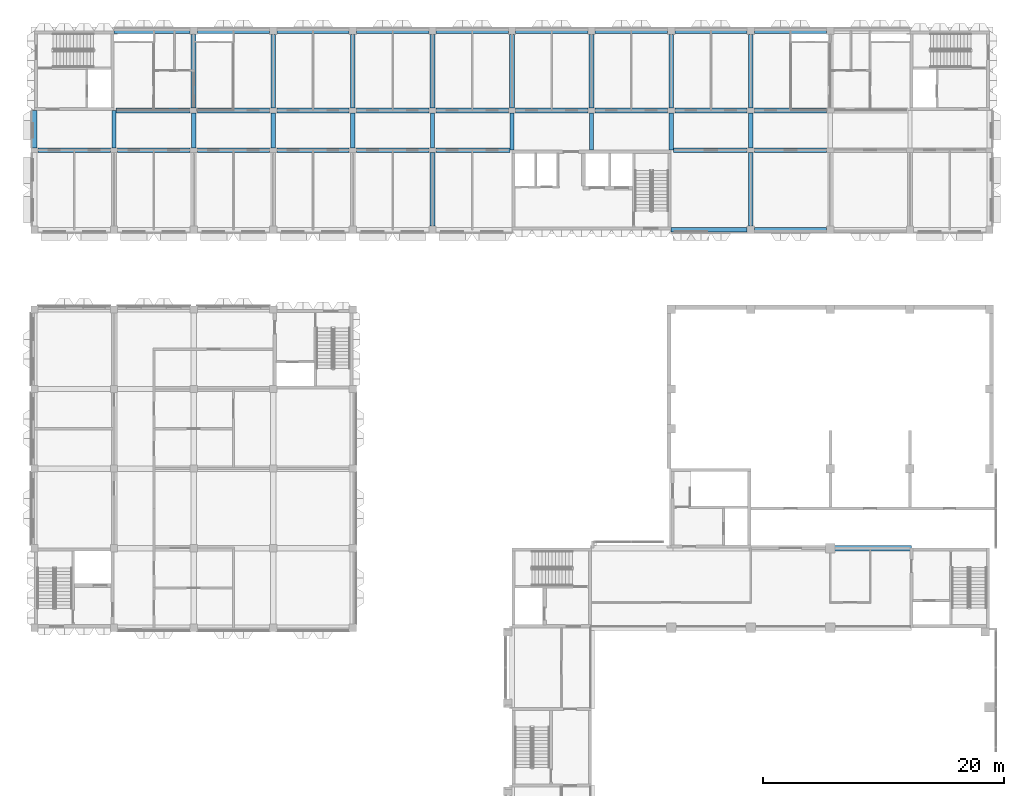
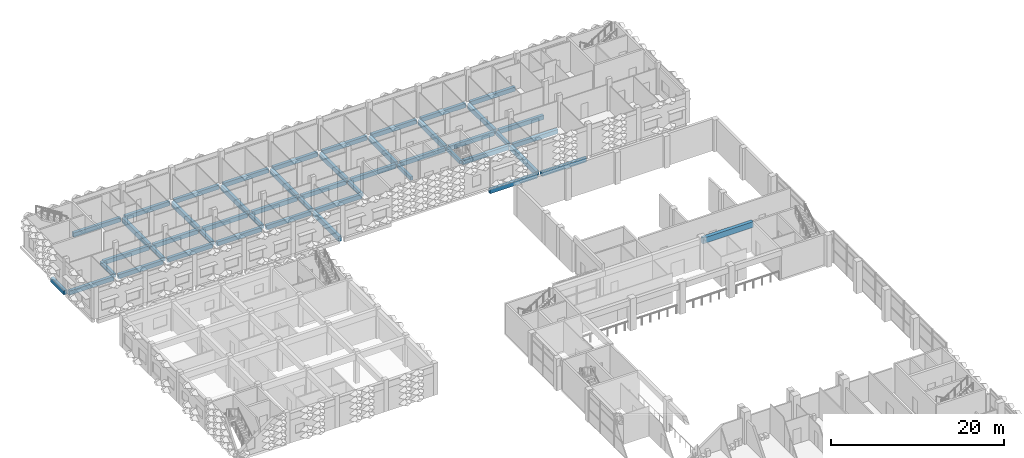
# One storey, part 18 of 87: 49 beams.
"""IFC4 building model written with IfcOpenShell, lengths in metres."""

from ifc_helpers import new_model, si_unit, direction, frame, origin, origin_2d, place, context, subcontext, project, spatial, rectangle, extrude, material, material_profile, profile_set, type_object, element, save


model = new_model("IFC4")

# Units and contexts
model_context = context("Model", 3, precision=1e-05, world=origin(), true_north=direction((0.0, 1.0)))
body_context = subcontext(model_context, "Body", "Model", "MODEL_VIEW")
ifc_project = project(units=[si_unit("LENGTHUNIT", "METRE"), si_unit("AREAUNIT", "SQUARE_METRE"), si_unit("VOLUMEUNIT", "CUBIC_METRE"), si_unit("PLANEANGLEUNIT", "RADIAN"), si_unit("MASSUNIT", "GRAM", prefix="KILO")], contexts=[model_context])

# Site, building, storey
site_placement = place(None, origin())
site = spatial("IfcSite", under=ifc_project, at=site_placement, CompositionType="ELEMENT")
building_placement = place(site_placement, origin())
building = spatial("IfcBuilding", under=site, at=building_placement, Name="Lantern Court Research Institute", CompositionType="ELEMENT")
storey_placement = place(building_placement, frame((0.0, 0.0, 5.39990234375)))
storey = spatial("IfcBuildingStorey", under=building, at=storey_placement, Name="L01", CompositionType="ELEMENT", Elevation=5.39990234375)

# Beams
ifc_material_1 = material(Name="Concrete C40/50", Category="concrete")
ifc_material_profile_1 = material_profile(ifc_material_1, rectangle(XDim=0.449951171875, YDim=0.800048828125, at=origin_2d()), Name="Hall beam 450 x 800")
ifc_profile_set_1 = profile_set([ifc_material_profile_1], Name="Concrete C40/50")
beam_type_1 = type_object("IfcBeamType", Name="Hall beam 450 x 800", PredefinedType="BEAM", material=ifc_profile_set_1)
beam_1_placement = place(storey_placement, frame((66.0, 56.10009765625, 3.85009765625), z_axis=(1.0, 0.0, 0.0), x_axis=(0.0, 1.0, 0.0)))
element("IfcBeam", 1, at=beam_1_placement, inside=storey, type_object=beam_type_1, Name="Gallery beam L02", PredefinedType="BEAM", context=body_context, shape_type="SweptSolid", body=[
    extrude(rectangle(XDim=0.449951171875, YDim=0.800048828125, at=origin_2d()), origin(), (0.0, 0.0, 1.0), 6.75),
])
ifc_material_2 = material(Name="Concrete C40/50", Category="concrete")
ifc_material_profile_2 = material_profile(ifc_material_2, rectangle(XDim=0.39990234375, YDim=0.60009765625, at=origin_2d()), Name="RC beam 400 x 600")
ifc_profile_set_2 = profile_set([ifc_material_profile_2], Name="Concrete C40/50")
beam_type_2 = type_object("IfcBeamType", Name="RC beam 400 x 600", PredefinedType="BEAM", material=ifc_profile_set_2)
for number, where, z_axis, x_axis, name in (
    (2, (0.300048828125, 89.10009765625, -0.5498046875), (1.0, 0.0, 0.0), (0.0, 1.0, 0.0), "Beam L01 grid K/1-2"),
    (3, (6.89990234375, 89.10009765625, -0.5498046875), (1.0, 0.0, 0.0), (0.0, 1.0, 0.0), "Beam L01 grid K/2-3"),
    (4, (13.5, 89.10009765625, -0.5498046875), (1.0, 0.0, 0.0), (0.0, 1.0, 0.0), "Beam L01 grid K/3-4"),
    (5, (20.10009765625, 89.10009765625, -0.5498046875), (1.0, 0.0, 0.0), (0.0, 1.0, 0.0), "Beam L01 grid K/4-5"),
    (6, (26.699951171875, 89.10009765625, -0.5498046875), (1.0, 0.0, 0.0), (0.0, 1.0, 0.0), "Beam L01 grid K/5-6"),
):
    element("IfcBeam", number, at=place(storey_placement, frame(where, z_axis=z_axis, x_axis=x_axis)), inside=storey, type_object=beam_type_2, Name=name, PredefinedType="BEAM", context=body_context, shape_type="SweptSolid", body=[
        extrude(rectangle(XDim=0.39990234375, YDim=0.60009765625, at=origin_2d()), origin(), (0.0, 0.0, 1.0), 6.0),
    ])
for number, where, z_axis, x_axis, name in (
    (7, (33.300048828125, 89.10009765625, -0.5498046875), (1.0, 0.0, 0.0), (0.0, 1.0, 0.0), "Beam L01 grid K/6-7"),
    (8, (52.97509765625, 89.10009765625, -0.5498046875), (1.0, 0.0, 0.0), (0.0, 1.0, 0.0), "Beam L01 grid K/9-10"),
):
    element("IfcBeam", number, at=place(storey_placement, frame(where, z_axis=z_axis, x_axis=x_axis)), inside=storey, type_object=beam_type_2, Name=name, PredefinedType="BEAM", context=body_context, shape_type="SweptSolid", body=[
        extrude(rectangle(XDim=0.39990234375, YDim=0.60009765625, at=origin_2d()), origin(), (0.0, 0.0, 1.0), 6.125),
    ])
beam_2_placement = place(storey_placement, frame((59.699951171875, 89.10009765625, -0.5498046875), z_axis=(1.0, 0.0, 0.0), x_axis=(0.0, 1.0, 0.0)))
element("IfcBeam", 9, at=beam_2_placement, inside=storey, type_object=beam_type_2, Name="Beam L01 grid K/10-11", PredefinedType="BEAM", context=body_context, shape_type="SweptSolid", body=[
    extrude(rectangle(XDim=0.39990234375, YDim=0.60009765625, at=origin_2d()), origin(), (0.0, 0.0, 1.0), 6.0),
])
beam_3_placement = place(storey_placement, frame((6.77490234375, 92.39990234375, -0.5498046875), z_axis=(1.0, 0.0, 0.0), x_axis=(0.0, 1.0, 0.0)))
element("IfcBeam", 10, at=beam_3_placement, inside=storey, type_object=beam_type_2, Name="Beam L01 grid L/2-3", PredefinedType="BEAM", context=body_context, shape_type="SweptSolid", body=[
    extrude(rectangle(XDim=0.39990234375, YDim=0.60009765625, at=origin_2d()), origin(), (0.0, 0.0, 1.0), 6.125),
])
for number, where, z_axis, x_axis, name in (
    (11, (13.5, 92.39990234375, -0.5498046875), (1.0, 0.0, 0.0), (0.0, 1.0, 0.0), "Beam L01 grid L/3-4"),
    (12, (20.10009765625, 92.39990234375, -0.5498046875), (1.0, 0.0, 0.0), (0.0, 1.0, 0.0), "Beam L01 grid L/4-5"),
    (13, (26.699951171875, 92.39990234375, -0.5498046875), (1.0, 0.0, 0.0), (0.0, 1.0, 0.0), "Beam L01 grid L/5-6"),
    (14, (33.300048828125, 92.39990234375, -0.5498046875), (1.0, 0.0, 0.0), (0.0, 1.0, 0.0), "Beam L01 grid L/6-7"),
    (15, (39.89990234375, 92.39990234375, -0.5498046875), (1.0, 0.0, 0.0), (0.0, 1.0, 0.0), "Beam L01 grid L/7-8"),
    (16, (46.5, 92.39990234375, -0.5498046875), (1.0, 0.0, 0.0), (0.0, 1.0, 0.0), "Beam L01 grid L/8-9"),
    (17, (53.10009765625, 92.39990234375, -0.5498046875), (1.0, 0.0, 0.0), (0.0, 1.0, 0.0), "Beam L01 grid L/9-10"),
    (18, (59.699951171875, 92.39990234375, -0.5498046875), (1.0, 0.0, 0.0), (0.0, 1.0, 0.0), "Beam L01 grid L/10-11"),
):
    element("IfcBeam", number, at=place(storey_placement, frame(where, z_axis=z_axis, x_axis=x_axis)), inside=storey, type_object=beam_type_2, Name=name, PredefinedType="BEAM", context=body_context, shape_type="SweptSolid", body=[
        extrude(rectangle(XDim=0.39990234375, YDim=0.60009765625, at=origin_2d()), origin(), (0.0, 0.0, 1.0), 6.0),
    ])
ifc_material_3 = material(Name="Concrete C40/50", Category="concrete")
ifc_material_profile_3 = material_profile(ifc_material_3, rectangle(XDim=0.39990234375, YDim=0.699951171875, at=origin_2d()), Name="RC beam 400 x 700")
ifc_profile_set_3 = profile_set([ifc_material_profile_3], Name="Concrete C40/50")
beam_type_3 = type_object("IfcBeamType", Name="RC beam 400 x 700", PredefinedType="BEAM", material=ifc_profile_set_3)
for number, where, z_axis, x_axis, name in (
    (19, (13.199951171875, 92.60009765625, -0.599853515625), (0.0, 1.0, 0.0), (-1.0, 0.0, 0.0), "Beam L01 grid 3/L-M"),
    (20, (19.800048828125, 92.60009765625, -0.599853515625), (0.0, 1.0, 0.0), (-1.0, 0.0, 0.0), "Beam L01 grid 4/L-M"),
    (21, (26.39990234375, 92.60009765625, -0.599853515625), (0.0, 1.0, 0.0), (-1.0, 0.0, 0.0), "Beam L01 grid 5/L-M"),
    (22, (33.0, 82.800048828125, -0.599853515625), (0.0, 1.0, 0.0), (-1.0, 0.0, 0.0), "Beam L01 grid 6/J-K"),
    (23, (33.0, 92.60009765625, -0.599853515625), (0.0, 1.0, 0.0), (-1.0, 0.0, 0.0), "Beam L01 grid 6/L-M"),
    (24, (39.60009765625, 92.60009765625, -0.599853515625), (0.0, 1.0, 0.0), (-1.0, 0.0, 0.0), "Beam L01 grid 7/L-M"),
    (25, (46.199951171875, 92.60009765625, -0.599853515625), (0.0, 1.0, 0.0), (-1.0, 0.0, 0.0), "Beam L01 grid 8/L-M"),
    (26, (52.800048828125, 92.60009765625, -0.599853515625), (0.0, 1.0, 0.0), (-1.0, 0.0, 0.0), "Beam L01 grid 9/L-M"),
    (27, (59.39990234375, 82.800048828125, -0.599853515625), (0.0, 1.0, 0.0), (-1.0, 0.0, 0.0), "Beam L01 grid 10/J-K"),
    (28, (59.39990234375, 92.60009765625, -0.599853515625), (0.0, 1.0, 0.0), (-1.0, 0.0, 0.0), "Beam L01 grid 10/L-M"),
):
    element("IfcBeam", number, at=place(storey_placement, frame(where, z_axis=z_axis, x_axis=x_axis)), inside=storey, type_object=beam_type_3, Name=name, PredefinedType="BEAM", context=body_context, shape_type="SweptSolid", body=[
        extrude(rectangle(XDim=0.39990234375, YDim=0.699951171875, at=origin_2d()), origin(), (0.0, 0.0, 1.0), 6.099853515625),
    ])
ifc_material_4 = material(Name="Concrete C40/50", Category="concrete")
ifc_material_profile_4 = material_profile(ifc_material_4, rectangle(XDim=0.39990234375, YDim=0.60009765625, at=origin_2d()), Name="RC beam 400 x 600")
ifc_profile_set_4 = profile_set([ifc_material_profile_4], Name="Concrete C40/50")
beam_type_4 = type_object("IfcBeamType", Name="RC edge beam 400 x 600", PredefinedType="BEAM", material=ifc_profile_set_4)
beam_4_placement = place(storey_placement, frame((0.0, 89.300048828125, -0.5498046875), z_axis=(0.0, 1.0, 0.0), x_axis=(-1.0, 0.0, 0.0)))
element("IfcBeam", 29, at=beam_4_placement, inside=storey, type_object=beam_type_4, Name="Edge beam L01 grid 1/K-L", PredefinedType="BEAM", context=body_context, shape_type="SweptSolid", body=[
    extrude(rectangle(XDim=0.39990234375, YDim=0.60009765625, at=origin_2d()), origin(), (0.0, 0.0, 1.0), 3.099853515625),
])
beam_5_placement = place(storey_placement, frame((52.800048828125, 82.5, -0.5498046875), z_axis=(1.0, 0.0, 0.0), x_axis=(0.0, 1.0, 0.0)))
element("IfcBeam", 30, at=beam_5_placement, inside=storey, type_object=beam_type_4, Name="Edge beam L01 grid J/9-10", PredefinedType="BEAM", context=body_context, shape_type="SweptSolid", body=[
    extrude(rectangle(XDim=0.39990234375, YDim=0.60009765625, at=origin_2d()), origin(), (0.0, 0.0, 1.0), 6.300048828125),
])
beam_6_placement = place(storey_placement, frame((59.699951171875, 82.5, -0.5498046875), z_axis=(1.0, 0.0, 0.0), x_axis=(0.0, 1.0, 0.0)))
element("IfcBeam", 31, at=beam_6_placement, inside=storey, type_object=beam_type_4, Name="Edge beam L01 grid J/10-11", PredefinedType="BEAM", context=body_context, shape_type="SweptSolid", body=[
    extrude(rectangle(XDim=0.39990234375, YDim=0.60009765625, at=origin_2d()), origin(), (0.0, 0.0, 1.0), 6.0),
])
beam_7_placement = place(storey_placement, frame((6.60009765625, 99.0, -0.5498046875), z_axis=(1.0, 0.0, 0.0), x_axis=(0.0, 1.0, 0.0)))
element("IfcBeam", 32, at=beam_7_placement, inside=storey, type_object=beam_type_4, Name="Edge beam L01 grid M/2-3", PredefinedType="BEAM", context=body_context, shape_type="SweptSolid", body=[
    extrude(rectangle(XDim=0.39990234375, YDim=0.60009765625, at=origin_2d()), origin(), (0.0, 0.0, 1.0), 6.2998046875),
])
for number, where, z_axis, x_axis, name in (
    (33, (13.5, 99.0, -0.5498046875), (1.0, 0.0, 0.0), (0.0, 1.0, 0.0), "Edge beam L01 grid M/3-4"),
    (34, (20.10009765625, 99.0, -0.5498046875), (1.0, 0.0, 0.0), (0.0, 1.0, 0.0), "Edge beam L01 grid M/4-5"),
    (35, (26.699951171875, 99.0, -0.5498046875), (1.0, 0.0, 0.0), (0.0, 1.0, 0.0), "Edge beam L01 grid M/5-6"),
    (36, (33.300048828125, 99.0, -0.5498046875), (1.0, 0.0, 0.0), (0.0, 1.0, 0.0), "Edge beam L01 grid M/6-7"),
    (37, (39.89990234375, 99.0, -0.5498046875), (1.0, 0.0, 0.0), (0.0, 1.0, 0.0), "Edge beam L01 grid M/7-8"),
    (38, (46.5, 99.0, -0.5498046875), (1.0, 0.0, 0.0), (0.0, 1.0, 0.0), "Edge beam L01 grid M/8-9"),
    (39, (53.10009765625, 99.0, -0.5498046875), (1.0, 0.0, 0.0), (0.0, 1.0, 0.0), "Edge beam L01 grid M/9-10"),
    (40, (59.699951171875, 99.0, -0.5498046875), (1.0, 0.0, 0.0), (0.0, 1.0, 0.0), "Edge beam L01 grid M/10-11"),
):
    element("IfcBeam", number, at=place(storey_placement, frame(where, z_axis=z_axis, x_axis=x_axis)), inside=storey, type_object=beam_type_4, Name=name, PredefinedType="BEAM", context=body_context, shape_type="SweptSolid", body=[
        extrude(rectangle(XDim=0.39990234375, YDim=0.60009765625, at=origin_2d()), origin(), (0.0, 0.0, 1.0), 6.0),
    ])
ifc_material_5 = material(Name="Concrete C40/50", Category="concrete")
ifc_material_profile_5 = material_profile(ifc_material_5, rectangle(XDim=0.35009765625, YDim=0.5, at=origin_2d()), Name="RC beam 350 x 500")
ifc_profile_set_5 = profile_set([ifc_material_profile_5], Name="Concrete C40/50")
beam_type_5 = type_object("IfcBeamType", Name="RC spine beam 350 x 500", PredefinedType="BEAM", material=ifc_profile_set_5)
beam_8_placement = place(storey_placement, frame((6.60009765625, 89.300048828125, -0.5), z_axis=(0.0, 1.0, 0.0), x_axis=(-1.0, 0.0, 0.0)))
element("IfcBeam", 41, at=beam_8_placement, inside=storey, type_object=beam_type_5, Name="Beam L01 grid 2/K-L", PredefinedType="BEAM", context=body_context, shape_type="SweptSolid", body=[
    extrude(rectangle(XDim=0.35009765625, YDim=0.5, at=origin_2d()), origin(), (0.0, 0.0, 1.0), 3.099853515625),
])
for number, where, z_axis, x_axis, name in (
    (42, (13.199951171875, 89.300048828125, -0.5), (0.0, 1.0, 0.0), (-1.0, 0.0, 0.0), "Beam L01 grid 3/K-L"),
    (43, (19.800048828125, 89.300048828125, -0.5), (0.0, 1.0, 0.0), (-1.0, 0.0, 0.0), "Beam L01 grid 4/K-L"),
    (44, (26.39990234375, 89.300048828125, -0.5), (0.0, 1.0, 0.0), (-1.0, 0.0, 0.0), "Beam L01 grid 5/K-L"),
    (45, (33.0, 89.300048828125, -0.5), (0.0, 1.0, 0.0), (-1.0, 0.0, 0.0), "Beam L01 grid 6/K-L"),
):
    element("IfcBeam", number, at=place(storey_placement, frame(where, z_axis=z_axis, x_axis=x_axis)), inside=storey, type_object=beam_type_5, Name=name, PredefinedType="BEAM", context=body_context, shape_type="SweptSolid", body=[
        extrude(rectangle(XDim=0.35009765625, YDim=0.5, at=origin_2d()), origin(), (0.0, 0.0, 1.0), 2.89990234375),
    ])
for number, where, z_axis, x_axis, name in (
    (46, (39.60009765625, 89.10009765625, -0.5), (0.0, 1.0, 0.0), (-1.0, 0.0, 0.0), "Beam L01 grid 7/K-L"),
    (47, (46.199951171875, 89.10009765625, -0.5), (0.0, 1.0, 0.0), (-1.0, 0.0, 0.0), "Beam L01 grid 8/K-L"),
    (48, (52.800048828125, 89.10009765625, -0.5), (0.0, 1.0, 0.0), (-1.0, 0.0, 0.0), "Beam L01 grid 9/K-L"),
):
    element("IfcBeam", number, at=place(storey_placement, frame(where, z_axis=z_axis, x_axis=x_axis)), inside=storey, type_object=beam_type_5, Name=name, PredefinedType="BEAM", context=body_context, shape_type="SweptSolid", body=[
        extrude(rectangle(XDim=0.35009765625, YDim=0.5, at=origin_2d()), origin(), (0.0, 0.0, 1.0), 3.099853515625),
    ])
beam_9_placement = place(storey_placement, frame((59.39990234375, 89.300048828125, -0.5), z_axis=(0.0, 1.0, 0.0), x_axis=(-1.0, 0.0, 0.0)))
element("IfcBeam", 49, at=beam_9_placement, inside=storey, type_object=beam_type_5, Name="Beam L01 grid 10/K-L", PredefinedType="BEAM", context=body_context, shape_type="SweptSolid", body=[
    extrude(rectangle(XDim=0.35009765625, YDim=0.5, at=origin_2d()), origin(), (0.0, 0.0, 1.0), 2.89990234375),
])

save(model, "model.ifc")
